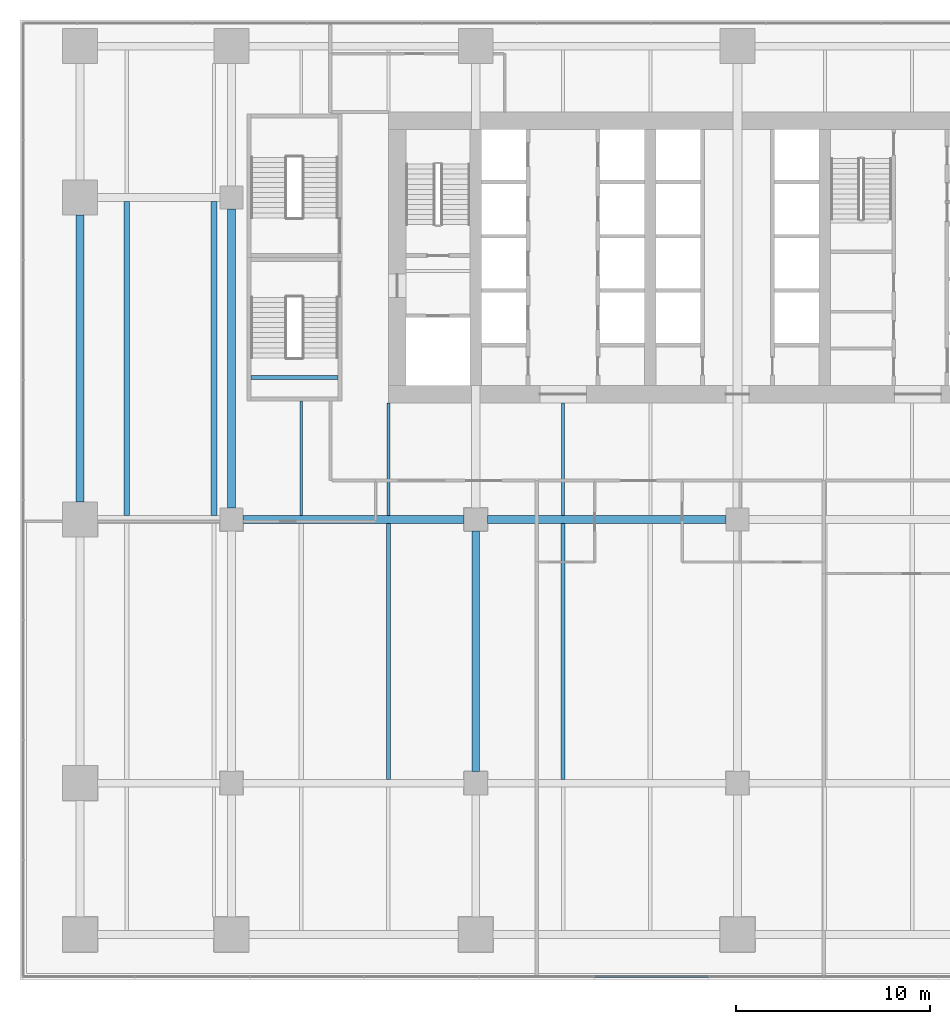
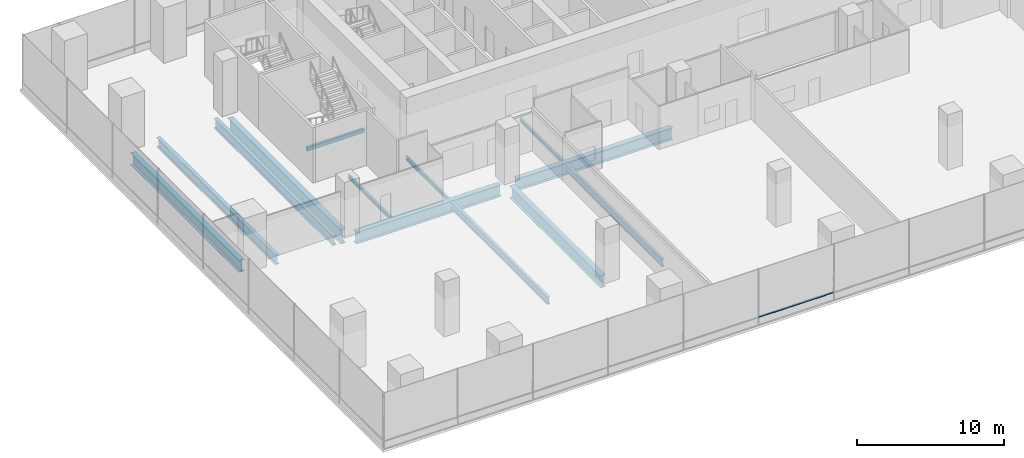
# One storey, part 5 of 28: 13 beams, 1 member, 1 element without a shape of its own.
"""IFC4 building model written with IfcOpenShell, lengths in metres."""

from ifc_helpers import new_model, si_unit, direction, frame, origin, origin_2d, place, context, subcontext, project, spatial, rectangle, i_section, extrude, material, layer, layer_set, material_profile, profile_set, type_object, element, aggregate, save


model = new_model("IFC4")

# Units and contexts
model_context = context("Model", 3, precision=1e-05, world=origin(), true_north=direction((0.0, 1.0)))
body_context = subcontext(model_context, "Body", "Model", "MODEL_VIEW")
ifc_project = project(units=[si_unit("LENGTHUNIT", "METRE"), si_unit("AREAUNIT", "SQUARE_METRE"), si_unit("VOLUMEUNIT", "CUBIC_METRE"), si_unit("PLANEANGLEUNIT", "RADIAN"), si_unit("MASSUNIT", "GRAM", prefix="KILO")], contexts=[model_context])

# Site, building, storey
site_placement = place(None, origin())
site = spatial("IfcSite", under=ifc_project, at=site_placement, CompositionType="ELEMENT")
building_placement = place(site_placement, origin())
building = spatial("IfcBuilding", under=site, at=building_placement, Name="Rattan Terrace Tower", CompositionType="ELEMENT")
storey_placement = place(building_placement, frame((0.0, 0.0, 17.39990234375)))
storey = spatial("IfcBuildingStorey", under=building, at=storey_placement, Name="L03", CompositionType="ELEMENT", Elevation=17.39990234375)

# Beams
ifc_material_1 = material(Name="Concrete C40/50", Category="concrete")
ifc_material_profile_1 = material_profile(ifc_material_1, rectangle(XDim=0.199951171875, YDim=0.300048828125, at=origin_2d()), Name="RC 200x300")
ifc_profile_set_1 = profile_set([ifc_material_profile_1], Name="Concrete C40/50")
beam_type_1 = type_object("IfcBeamType", Name="Core landing beam RC 200x300", PredefinedType="BEAM", material=ifc_profile_set_1)
beam_1_placement = place(storey_placement, frame((-25.10009765625, -6.18505859375, 2.050048828125), z_axis=(1.0, 0.0, 0.0), x_axis=(0.0, 1.0, 0.0)))
element("IfcBeam", 1, at=beam_1_placement, inside=storey, type_object=beam_type_1, Name="st-S4-L03 landing 1 edge beam", PredefinedType="BEAM", context=body_context, shape_type="SweptSolid", body=[
    extrude(rectangle(XDim=0.199951171875, YDim=0.300048828125, at=origin_2d()), origin(), (0.0, 0.0, 1.0), 4.5),
])
ifc_material_2 = material(Name="Steel S355", Category="steel")
ifc_material_profile_2 = material_profile(ifc_material_2, i_section(OverallWidth=0.300048828125, OverallDepth=0.800048828125, WebThickness=0.017578125, FlangeThickness=0.032958984375, FilletRadius=0.030029296875, at=origin_2d()), Name="HE 800 B")
ifc_profile_set_2 = profile_set([ifc_material_profile_2], Name="Steel S355")
beam_type_2 = type_object("IfcBeamType", Name="Frame floor beam HE 800 B", PredefinedType="JOIST", material=ifc_profile_set_2)
for number, where, z_axis, x_axis, name in (
    (2, (-31.5, -13.300048828125, -0.599853515625), (0.0, 1.0, 0.0), (-1.0, 0.0, 0.0), "bm-L03-027"),
    (3, (-27.0, -13.300048828125, -0.599853515625), (0.0, 1.0, 0.0), (-1.0, 0.0, 0.0), "bm-L03-028"),
):
    element("IfcBeam", number, at=place(storey_placement, frame(where, z_axis=z_axis, x_axis=x_axis)), inside=storey, type_object=beam_type_2, Name=name, PredefinedType="JOIST", context=body_context, shape_type="SweptSolid", body=[
        extrude(i_section(OverallWidth=0.300048828125, OverallDepth=0.800048828125, WebThickness=0.017578125, FlangeThickness=0.032958984375, FilletRadius=0.030029296875, at=origin_2d()), origin(), (0.0, 0.0, 1.0), 16.199951171875),
    ])
ifc_material_3 = material(Name="Steel S355", Category="steel")
ifc_material_profile_3 = material_profile(ifc_material_3, i_section(OverallWidth=0.14990234375, OverallDepth=0.300048828125, WebThickness=0.007080078125, FlangeThickness=0.0107421875, FilletRadius=0.014892578125, at=origin_2d()), Name="IPE 300")
ifc_profile_set_3 = profile_set([ifc_material_profile_3], Name="Steel S355")
beam_type_3 = type_object("IfcBeamType", Name="Frame floor beam IPE 300", PredefinedType="JOIST", material=ifc_profile_set_3)
beam_2_placement = place(storey_placement, frame((-22.5, -13.300048828125, -0.349853515625), z_axis=(0.0, 1.0, 0.0), x_axis=(-1.0, 0.0, 0.0)))
element("IfcBeam", 4, at=beam_2_placement, inside=storey, type_object=beam_type_3, Name="bm-L03-029", PredefinedType="JOIST", context=body_context, shape_type="SweptSolid", body=[
    extrude(i_section(OverallWidth=0.14990234375, OverallDepth=0.300048828125, WebThickness=0.007080078125, FlangeThickness=0.0107421875, FilletRadius=0.014892578125, at=origin_2d()), origin(), (0.0, 0.0, 1.0), 5.900146484375),
])
for number, where, z_axis, x_axis, name in (
    (5, (-18.0, -13.300048828125, -0.349853515625), (0.0, 1.0, 0.0), (-1.0, 0.0, 0.0), "bm-L03-030"),
    (6, (-9.0, -13.300048828125, -0.349853515625), (0.0, 1.0, 0.0), (-1.0, 0.0, 0.0), "bm-L03-031"),
):
    element("IfcBeam", number, at=place(storey_placement, frame(where, z_axis=z_axis, x_axis=x_axis)), inside=storey, type_object=beam_type_3, Name=name, PredefinedType="JOIST", context=body_context, shape_type="SweptSolid", body=[
        extrude(i_section(OverallWidth=0.14990234375, OverallDepth=0.300048828125, WebThickness=0.007080078125, FlangeThickness=0.0107421875, FilletRadius=0.014892578125, at=origin_2d()), origin(), (0.0, 0.0, 1.0), 5.800048828125),
    ])
ifc_material_4 = material(Name="Steel S355", Category="steel")
ifc_material_profile_4 = material_profile(ifc_material_4, i_section(OverallWidth=0.22412109375, OverallDepth=0.610107421875, WebThickness=0.014892578125, FlangeThickness=0.02392578125, FilletRadius=0.02392578125, at=origin_2d()), Name="IPE O 600")
ifc_profile_set_4 = profile_set([ifc_material_profile_4], Name="Steel S355")
beam_type_4 = type_object("IfcBeamType", Name="Frame floor beam IPE O 600", PredefinedType="JOIST", material=ifc_profile_set_4)
for number, where, z_axis, x_axis, name in (
    (7, (-18.0, -26.89990234375, -0.5048828125), (0.0, 1.0, 0.0), (-1.0, 0.0, 0.0), "bm-L03-018"),
    (8, (-9.0, -26.89990234375, -0.5048828125), (0.0, 1.0, 0.0), (-1.0, 0.0, 0.0), "bm-L03-019"),
):
    element("IfcBeam", number, at=place(storey_placement, frame(where, z_axis=z_axis, x_axis=x_axis)), inside=storey, type_object=beam_type_4, Name=name, PredefinedType="JOIST", context=body_context, shape_type="SweptSolid", body=[
        extrude(i_section(OverallWidth=0.22412109375, OverallDepth=0.610107421875, WebThickness=0.014892578125, FlangeThickness=0.02392578125, FilletRadius=0.02392578125, at=origin_2d()), origin(), (0.0, 0.0, 1.0), 13.199951171875),
    ])
ifc_material_5 = material(Name="Steel S460", Category="steel")
ifc_material_profile_5 = material_profile(ifc_material_5, i_section(OverallWidth=0.39990234375, OverallDepth=1.0, WebThickness=0.01806640625, FlangeThickness=0.044921875, at=origin_2d()), Name="PG 1000x400-18-45")
ifc_profile_set_5 = profile_set([ifc_material_profile_5], Name="Steel S460")
beam_type_5 = type_object("IfcBeamType", Name="Frame podium girder PG 1000x400-18-45", PredefinedType="USERDEFINED", material=ifc_profile_set_5)
beam_3_placement = place(storey_placement, frame((-13.5, -26.5, -0.699951171875), z_axis=(0.0, 1.0, 0.0), x_axis=(-1.0, 0.0, 0.0)))
element("IfcBeam", 9, at=beam_3_placement, inside=storey, type_object=beam_type_5, Name="gdr-L03-021", ObjectType="PODIUM GIRDER", PredefinedType="USERDEFINED", context=body_context, shape_type="SweptSolid", body=[
    extrude(i_section(OverallWidth=0.39990234375, OverallDepth=1.0, WebThickness=0.01806640625, FlangeThickness=0.044921875, at=origin_2d()), origin(), (0.0, 0.0, 1.0), 12.39990234375),
])
beam_4_placement = place(storey_placement, frame((-25.5, -13.5, -0.699951171875), z_axis=(1.0, 0.0, 0.0), x_axis=(0.0, 1.0, 0.0)))
element("IfcBeam", 10, at=beam_4_placement, inside=storey, type_object=beam_type_5, Name="gdr-L03-028", ObjectType="PODIUM GIRDER", PredefinedType="USERDEFINED", context=body_context, shape_type="SweptSolid", body=[
    extrude(i_section(OverallWidth=0.39990234375, OverallDepth=1.0, WebThickness=0.01806640625, FlangeThickness=0.044921875, at=origin_2d()), origin(), (0.0, 0.0, 1.0), 11.39990234375),
])
beam_5_placement = place(storey_placement, frame((-12.89990234375, -13.5, -0.699951171875), z_axis=(1.0, 0.0, 0.0), x_axis=(0.0, 1.0, 0.0)))
element("IfcBeam", 11, at=beam_5_placement, inside=storey, type_object=beam_type_5, Name="gdr-L03-029", ObjectType="PODIUM GIRDER", PredefinedType="USERDEFINED", context=body_context, shape_type="SweptSolid", body=[
    extrude(i_section(OverallWidth=0.39990234375, OverallDepth=1.0, WebThickness=0.01806640625, FlangeThickness=0.044921875, at=origin_2d()), origin(), (0.0, 0.0, 1.0), 12.2998046875),
])
beam_6_placement = place(storey_placement, frame((-33.89990234375, -12.60009765625, -0.699951171875), z_axis=(0.0, 1.0, 0.0), x_axis=(-1.0, 0.0, 0.0)))
element("IfcBeam", 12, at=beam_6_placement, inside=storey, type_object=beam_type_5, Name="gdr-L03-038", ObjectType="PODIUM GIRDER", PredefinedType="USERDEFINED", context=body_context, shape_type="SweptSolid", body=[
    extrude(i_section(OverallWidth=0.39990234375, OverallDepth=1.0, WebThickness=0.01806640625, FlangeThickness=0.044921875, at=origin_2d()), origin(), (0.0, 0.0, 1.0), 14.800048828125),
])
ifc_material_6 = material(Name="Steel S460", Category="steel")
ifc_material_profile_6 = material_profile(ifc_material_6, i_section(OverallWidth=0.39990234375, OverallDepth=1.199951171875, WebThickness=0.02001953125, FlangeThickness=0.050048828125, at=origin_2d()), Name="PG 1200x400-20-50")
ifc_profile_set_6 = profile_set([ifc_material_profile_6], Name="Steel S460")
beam_type_6 = type_object("IfcBeamType", Name="Frame podium girder PG 1200x400-20-50", PredefinedType="USERDEFINED", material=ifc_profile_set_6)
beam_7_placement = place(storey_placement, frame((-26.10009765625, -12.89990234375, -0.7998046875), z_axis=(0.0, 1.0, 0.0), x_axis=(-1.0, 0.0, 0.0)))
element("IfcBeam", 13, at=beam_7_placement, inside=storey, type_object=beam_type_6, Name="gdr-L03-033", ObjectType="PODIUM GIRDER", PredefinedType="USERDEFINED", context=body_context, shape_type="SweptSolid", body=[
    extrude(i_section(OverallWidth=0.39990234375, OverallDepth=1.199951171875, WebThickness=0.02001953125, FlangeThickness=0.050048828125, at=origin_2d()), origin(), (0.0, 0.0, 1.0), 15.39990234375),
])

# Curtain wall, member
ifc_material_7 = material(Name="Aluminium and glass", Category="aluminium")
ifc_layer = layer(ifc_material_7, 0.1201171875)
ifc_layer_set = layer_set([ifc_layer], Name="Station Storefront Curtain Wall")
curtain_wall_type = type_object("IfcCurtainWallType", Name="Station Storefront Curtain Wall", PredefinedType="NOTDEFINED", material=ifc_layer_set)
curtain_wall_placement = place(storey_placement, origin())
curtain_wall = element("IfcCurtainWall", 14, at=curtain_wall_placement, inside=storey, type_object=curtain_wall_type, Name="Storefront curtain wall L03-4", PredefinedType="NOTDEFINED")
ifc_material_8 = material(Name="Aluminium", Category="aluminium")
ifc_material_profile_7 = material_profile(ifc_material_8, rectangle(XDim=0.10009765625, YDim=0.050048828125, at=origin_2d()), Name="Aluminium 100x50")
ifc_profile_set_7 = profile_set([ifc_material_profile_7], Name="Aluminium")
member_type = type_object("IfcMemberType", Name="Storefront CW Transom 100x50", PredefinedType="USERDEFINED", material=ifc_profile_set_7)
member_placement = place(storey_placement, frame((-7.375, -37.080078125, 0.60009765625), z_axis=(1.0, 0.0, 0.0), x_axis=(0.0, 1.0, 0.0)))
member = element("IfcMember", 15, at=member_placement, type_object=member_type, Name="Transom cwl-L03-004.6", ObjectType="TRANSOM", PredefinedType="USERDEFINED", context=body_context, shape_type="SweptSolid", body=[
    extrude(rectangle(XDim=0.10009765625, YDim=0.050048828125, at=origin_2d()), origin(), (0.0, 0.0, 1.0), 5.8701171875),
])
aggregate(curtain_wall, [member])

save(model, "model.ifc")
